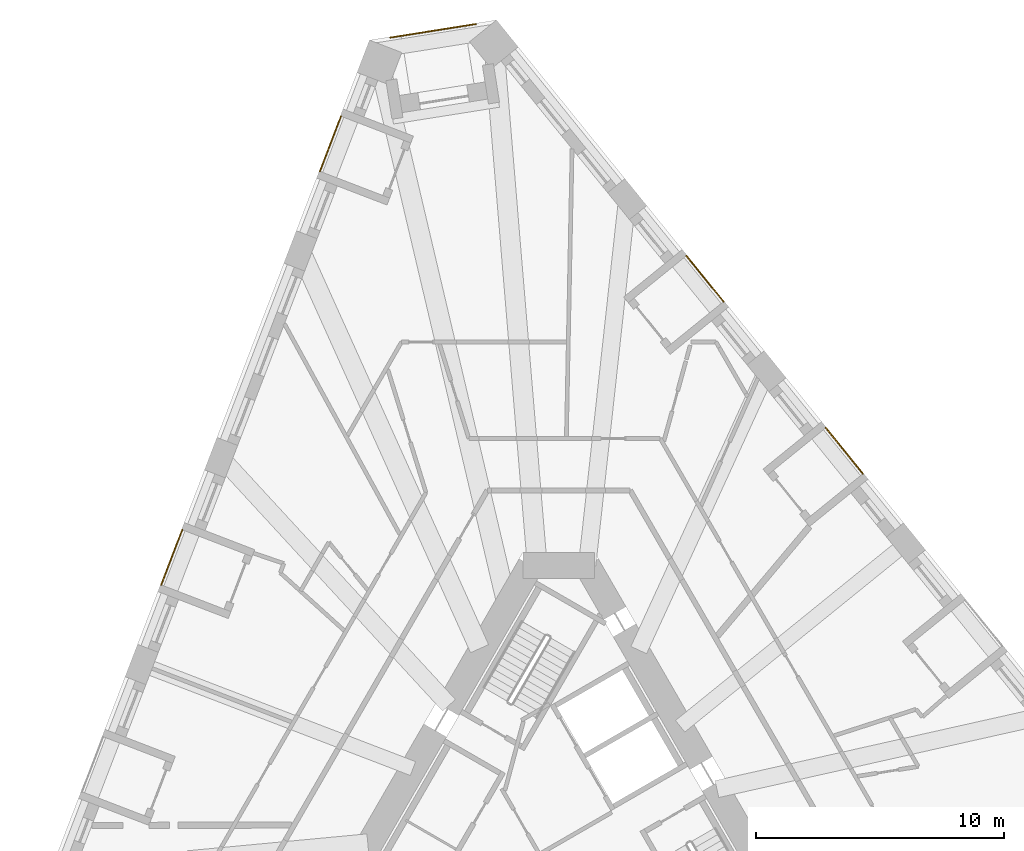
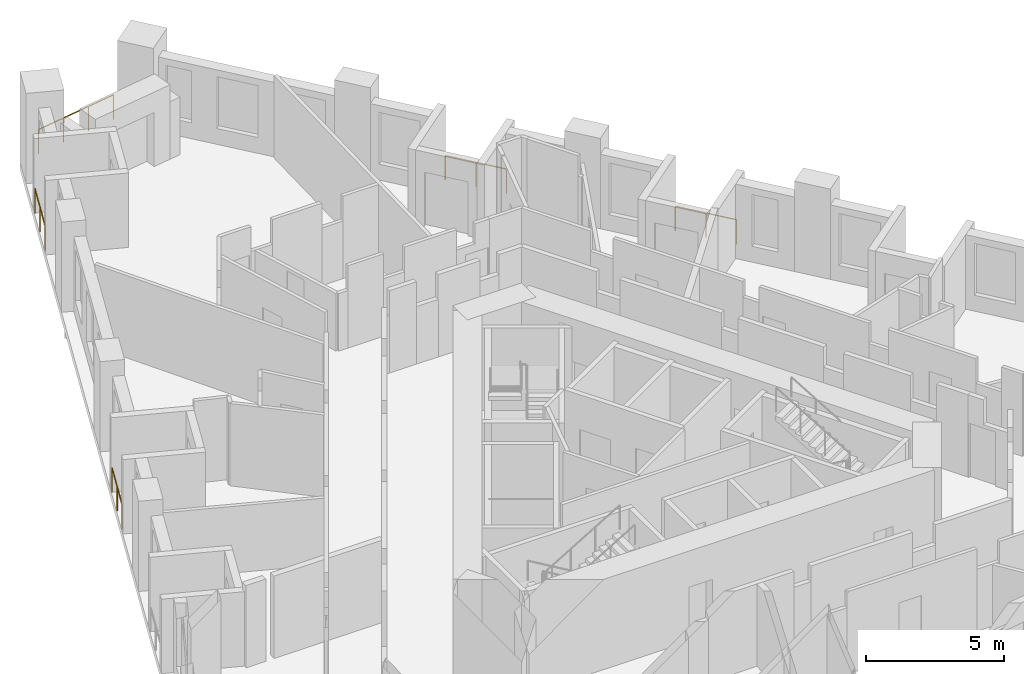
# One storey, part 14 of 14: 5 railings.
"""IFC4 building model written with IfcOpenShell, lengths in metres."""

from ifc_helpers import new_model, si_unit, direction, frame, origin, origin_2d, place, context, subcontext, project, spatial, circle, extrude, material, type_object, element, save


model = new_model("IFC4")

# Units and contexts
model_context = context("Model", 3, precision=1e-05, world=origin(), true_north=direction((0.0, 1.0)))
body_context = subcontext(model_context, "Body", "Model", "MODEL_VIEW")
ifc_project = project(units=[si_unit("LENGTHUNIT", "METRE"), si_unit("AREAUNIT", "SQUARE_METRE"), si_unit("VOLUMEUNIT", "CUBIC_METRE"), si_unit("PLANEANGLEUNIT", "RADIAN"), si_unit("MASSUNIT", "GRAM", prefix="KILO")], contexts=[model_context])

# Site, building, storey
site_placement = place(None, origin())
site = spatial("IfcSite", under=ifc_project, at=site_placement, CompositionType="ELEMENT")
building_placement = place(site_placement, origin())
building = spatial("IfcBuilding", under=site, at=building_placement, Name="Tramontana Tower", CompositionType="ELEMENT")
storey_placement = place(building_placement, frame((0.0, 0.0, 71.199951171875)))
storey = spatial("IfcBuildingStorey", under=building, at=storey_placement, Name="L15", CompositionType="ELEMENT", Elevation=71.199951171875)

# Railings
ifc_material = material(Name="Laminated glass balustrade", Category="glass")
railing_type = type_object("IfcRailingType", Name="GD1 Loggia glass balustrade 1100", PredefinedType="BALUSTRADE", material=ifc_material)
railing_1_placement = place(storey_placement, frame((-8.798828125, 28.61767578125, 0.0)))
element("IfcRailing", 1, at=railing_1_placement, inside=storey, type_object=railing_type, Name="Loggia balustrade L15 G1S0.1", PredefinedType="BALUSTRADE", context=body_context, shape_type="SweptSolid", body=[
    extrude(circle(Radius=0.02392578125, at=origin_2d()), frame((0.0, 0.0, 1.076171875), z_axis=(-0.35829926872, -0.933606787697, 0.0), x_axis=(0.933606787697, -0.35829926872, 0.0)), (0.0, 0.0, 1.0), 2.3828125),
    extrude(circle(Radius=0.02099609375, at=origin_2d()), origin(), (0.0, 0.0, 1.0), 1.052001953125),
    extrude(circle(Radius=0.02099609375, at=origin_2d()), frame((-0.4267578125, -1.1123046875, 0.0)), (0.0, 0.0, 1.0), 1.052001953125),
    extrude(circle(Radius=0.02099609375, at=origin_2d()), frame((-0.853759765625, -2.224609375, 0.0)), (0.0, 0.0, 1.0), 1.052001953125),
])
railing_2_placement = place(storey_placement, frame((-15.212646484375, 11.90869140625, 0.0)))
element("IfcRailing", 2, at=railing_2_placement, inside=storey, type_object=railing_type, Name="Loggia balustrade L15 G1S0.7", PredefinedType="BALUSTRADE", context=body_context, shape_type="SweptSolid", body=[
    extrude(circle(Radius=0.02392578125, at=origin_2d()), frame((0.0, 0.0, 1.076171875), z_axis=(-0.35838856932, -0.933572511046, 0.0), x_axis=(0.933572511046, -0.35838856932, 0.0)), (0.0, 0.0, 1.0), 2.3828125),
    extrude(circle(Radius=0.02099609375, at=origin_2d()), origin(), (0.0, 0.0, 1.0), 1.052001953125),
    extrude(circle(Radius=0.02099609375, at=origin_2d()), frame((-0.427001953125, -1.1123046875, 0.0)), (0.0, 0.0, 1.0), 1.052001953125),
    extrude(circle(Radius=0.02099609375, at=origin_2d()), frame((-0.85400390625, -2.224609375, 0.0)), (0.0, 0.0, 1.0), 1.052001953125),
])
railing_3_placement = place(storey_placement, frame((12.287841796875, 14.1748046875, 0.0)))
element("IfcRailing", 3, at=railing_3_placement, inside=storey, type_object=railing_type, Name="Loggia balustrade L15 G1S2.10", PredefinedType="BALUSTRADE", context=body_context, shape_type="SweptSolid", body=[
    extrude(circle(Radius=0.02392578125, at=origin_2d()), frame((0.0, 0.0, 1.076171875), z_axis=(-0.629319049918, 0.777147047482, 0.0), x_axis=(-0.777147047482, -0.629319049918, 0.0)), (0.0, 0.0, 1.0), 2.383056640625),
    extrude(circle(Radius=0.02099609375, at=origin_2d()), origin(), (0.0, 0.0, 1.0), 1.052001953125),
    extrude(circle(Radius=0.02099609375, at=origin_2d()), frame((-0.75, 0.926025390625, 0.0)), (0.0, 0.0, 1.0), 1.052001953125),
    extrude(circle(Radius=0.02099609375, at=origin_2d()), frame((-1.499755859375, 1.85205078125, 0.0)), (0.0, 0.0, 1.0), 1.052001953125),
])
railing_4_placement = place(storey_placement, frame((6.656005859375, 21.129638671875, 0.0)))
element("IfcRailing", 4, at=railing_4_placement, inside=storey, type_object=railing_type, Name="Loggia balustrade L15 G1S2.13", PredefinedType="BALUSTRADE", context=body_context, shape_type="SweptSolid", body=[
    extrude(circle(Radius=0.02392578125, at=origin_2d()), frame((0.0, 0.0, 1.076171875), z_axis=(-0.62930727886, 0.777156579316, 0.0), x_axis=(-0.777156579316, -0.62930727886, 0.0)), (0.0, 0.0, 1.0), 2.3828125),
    extrude(circle(Radius=0.02099609375, at=origin_2d()), origin(), (0.0, 0.0, 1.0), 1.052001953125),
    extrude(circle(Radius=0.02099609375, at=origin_2d()), frame((-0.749755859375, 0.92578125, 0.0)), (0.0, 0.0, 1.0), 1.052001953125),
    extrude(circle(Radius=0.02099609375, at=origin_2d()), frame((-1.49951171875, 1.851806640625, 0.0)), (0.0, 0.0, 1.0), 1.052001953125),
])
railing_5_placement = place(storey_placement, frame((-6.807861328125, 31.79638671875, 0.0)))
element("IfcRailing", 5, at=railing_5_placement, inside=storey, type_object=railing_type, Name="Corner loggia balustrade L15 K10", PredefinedType="BALUSTRADE", context=body_context, shape_type="SweptSolid", body=[
    extrude(circle(Radius=0.02392578125, at=origin_2d()), frame((0.0, 0.0, 1.076171875), z_axis=(0.987683654859, 0.156464046744, 0.0), x_axis=(-0.156464046744, 0.987683654859, 0.0)), (0.0, 0.0, 1.0), 3.5),
    extrude(circle(Radius=0.02099609375, at=origin_2d()), origin(), (0.0, 0.0, 1.0), 1.052001953125),
    extrude(circle(Radius=0.02099609375, at=origin_2d()), frame((1.15234375, 0.1826171875, 0.0)), (0.0, 0.0, 1.0), 1.052001953125),
    extrude(circle(Radius=0.02099609375, at=origin_2d()), frame((2.304443359375, 0.364990234375, 0.0)), (0.0, 0.0, 1.0), 1.052001953125),
    extrude(circle(Radius=0.02099609375, at=origin_2d()), frame((3.456787109375, 0.547607421875, 0.0)), (0.0, 0.0, 1.0), 1.052001953125),
])

save(model, "model.ifc")
